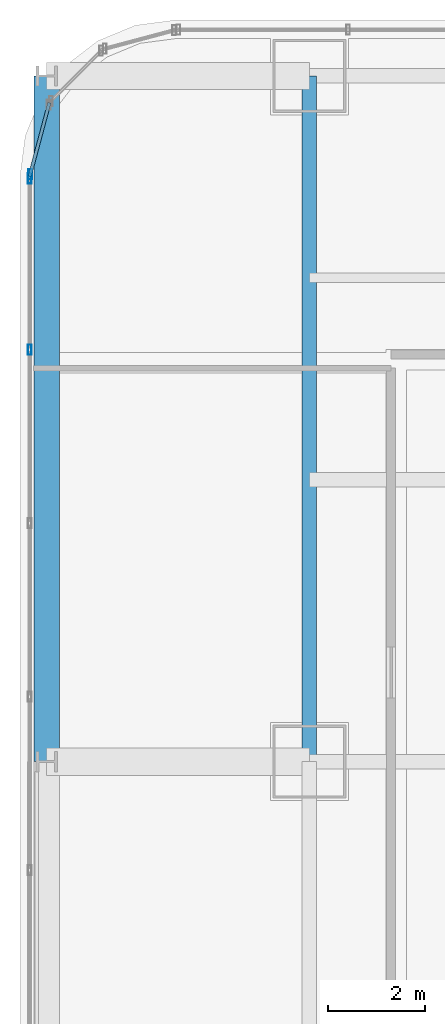
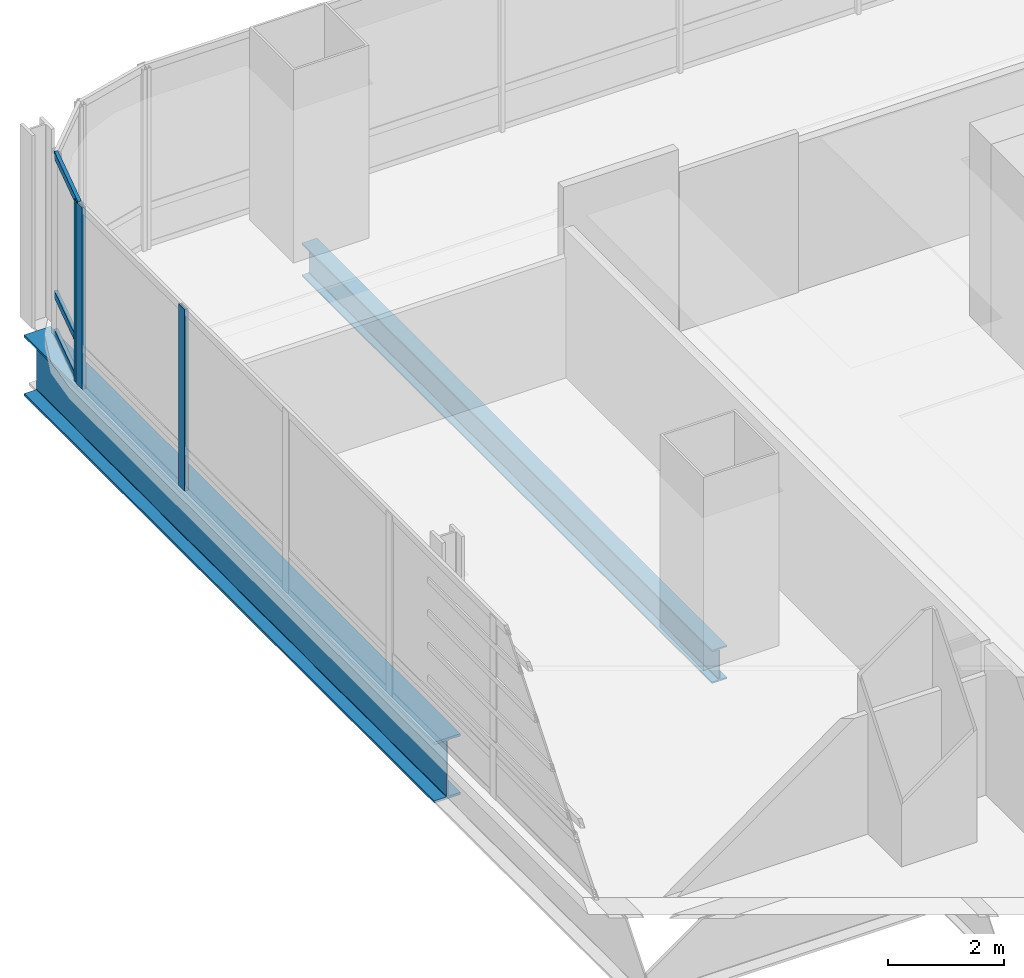
# One storey, part 18 of 36: 6 members, 2 beams, 2 elements without a shape of their own.
"""IFC4 building model written with IfcOpenShell, lengths in metres."""

from ifc_helpers import new_model, si_unit, direction, frame, origin, origin_2d, place, context, subcontext, project, spatial, hollow_rectangle, i_section, extrude, material, material_profile, profile_set, type_object, element, aggregate, save


model = new_model("IFC4")

# Units and contexts
model_context = context("Model", 3, precision=1e-05, world=origin(), true_north=direction((0.0, 1.0)))
body_context = subcontext(model_context, "Body", "Model", "MODEL_VIEW")
ifc_project = project(units=[si_unit("LENGTHUNIT", "METRE"), si_unit("AREAUNIT", "SQUARE_METRE"), si_unit("VOLUMEUNIT", "CUBIC_METRE"), si_unit("PLANEANGLEUNIT", "RADIAN"), si_unit("MASSUNIT", "GRAM", prefix="KILO")], contexts=[model_context])

# Site, building, storey
site_placement = place(None, origin())
site = spatial("IfcSite", under=ifc_project, at=site_placement, CompositionType="ELEMENT")
building_placement = place(site_placement, origin())
building = spatial("IfcBuilding", under=site, at=building_placement, Name="Punatoya Terracotta Tower", CompositionType="ELEMENT")
storey_placement = place(building_placement, frame((0.0, 0.0, 40.35009765625)))
storey = spatial("IfcBuildingStorey", under=building, at=storey_placement, Name="L08", CompositionType="ELEMENT", Elevation=40.35009765625)

# Beams
ifc_material_1 = material(Name="Steel S355", Category="steel")
ifc_material_profile_1 = material_profile(ifc_material_1, i_section(OverallWidth=0.300048828125, OverallDepth=0.699951171875, WebThickness=0.01708984375, FlangeThickness=0.031982421875, FilletRadius=0.01806640625, at=origin_2d()))
ifc_profile_set_1 = profile_set([ifc_material_profile_1], Name="Steel S355")
beam_type_1 = type_object("IfcBeamType", Name="BM-PRI-700", PredefinedType="BEAM", material=ifc_profile_set_1)
beam_1_placement = place(storey_placement, frame((-19.10009765625, 3.39990234375, -0.590087890625), z_axis=(0.0, 1.0, 0.0), x_axis=(-1.0, 0.0, 0.0)))
element("IfcBeam", 1, at=beam_1_placement, inside=storey, type_object=beam_type_1, Name="BM-L08-RG-W3", PredefinedType="BEAM", context=body_context, shape_type="SweptSolid", body=[
    extrude(i_section(OverallWidth=0.300048828125, OverallDepth=0.699951171875, WebThickness=0.01708984375, FlangeThickness=0.031982421875, FilletRadius=0.01806640625, at=origin_2d()), origin(), (0.0, 0.0, 1.0), 14.10009765625),
])
ifc_material_2 = material(Name="Steel S460", Category="steel")
ifc_material_profile_2 = material_profile(ifc_material_2, i_section(OverallWidth=0.52001953125, OverallDepth=1.280029296875, WebThickness=0.031982421875, FlangeThickness=0.050048828125, FilletRadius=0.01806640625, at=origin_2d()))
ifc_profile_set_2 = profile_set([ifc_material_profile_2], Name="Steel S460")
beam_type_2 = type_object("IfcBeamType", Name="BM-TG-NCK", PredefinedType="BEAM", material=ifc_profile_set_2)
beam_2_placement = place(storey_placement, frame((-24.5, 3.39990234375, -0.880126953125), z_axis=(0.0, 1.0, 0.0), x_axis=(-1.0, 0.0, 0.0)))
element("IfcBeam", 2, at=beam_2_placement, inside=storey, type_object=beam_type_2, Name="BM-L08-PER-W3", PredefinedType="BEAM", context=body_context, shape_type="SweptSolid", body=[
    extrude(i_section(OverallWidth=0.52001953125, OverallDepth=1.280029296875, WebThickness=0.031982421875, FlangeThickness=0.050048828125, FilletRadius=0.01806640625, at=origin_2d()), origin(), (0.0, 0.0, 1.0), 14.10009765625),
])

# Curtain wall, member
ifc_material_3 = material(Name="Aluminium 6063-T6 + Double Low-E Glass", Category="aluminium")
curtain_wall_type = type_object("IfcCurtainWallType", Name="CW-M1", PredefinedType="NOTDEFINED", material=ifc_material_3)
curtain_wall_1_placement = place(storey_placement, origin())
curtain_wall_1 = element("IfcCurtainWall", 3, at=curtain_wall_1_placement, inside=storey, type_object=curtain_wall_type, Name="L08 Curtain Wall CW-L08-CRN12", PredefinedType="NOTDEFINED")
ifc_material_4 = material(Name="Aluminium 6063-T6", Category="aluminium")
ifc_material_profile_3 = material_profile(ifc_material_4, hollow_rectangle(XDim=0.074951171875, YDim=0.2099609375, WallThickness=0.00439453125, at=origin_2d()))
ifc_profile_set_3 = profile_set([ifc_material_profile_3], Name="Aluminium 6063-T6")
member_type_1 = type_object("IfcMemberType", Name="CW-MUL-M1", PredefinedType="MULLION", material=ifc_profile_set_3)
member_1_placement = place(storey_placement, frame((-24.83837890625, 15.48046875, 0.0), z_axis=(0.0, 0.0, 1.0), x_axis=(1.0, 0.0, 0.0)))
member_1 = element("IfcMember", 4, at=member_1_placement, type_object=member_type_1, Name="CW-L08-CRN12 Mullion 01", PredefinedType="MULLION", context=body_context, shape_type="SweptSolid", body=[
    extrude(hollow_rectangle(XDim=0.074951171875, YDim=0.2099609375, WallThickness=0.00439453125, at=origin_2d()), origin(), (0.0, 0.0, 1.0), 3.809814453125),
])

# Curtain wall, members
curtain_wall_2_placement = place(storey_placement, origin())
curtain_wall_2 = element("IfcCurtainWall", 5, at=curtain_wall_2_placement, inside=storey, type_object=curtain_wall_type, Name="L08 Curtain Wall CW-L08-W13-1", PredefinedType="NOTDEFINED")
member_2_placement = place(storey_placement, frame((-24.85009765625, 15.391845703125, 0.0), z_axis=(0.0, 0.0, 1.0), x_axis=(1.0, 0.0, 0.0)))
member_2 = element("IfcMember", 6, at=member_2_placement, type_object=member_type_1, Name="CW-L08-W13-1 Mullion 00", PredefinedType="MULLION", context=body_context, shape_type="SweptSolid", body=[
    extrude(hollow_rectangle(XDim=0.074951171875, YDim=0.2099609375, WallThickness=0.00439453125, at=origin_2d()), origin(), (0.0, 0.0, 1.0), 3.809814453125),
])
member_3_placement = place(storey_placement, frame((-24.85009765625, 11.869384765625, 0.0), z_axis=(0.0, 0.0, 1.0), x_axis=(1.0, 0.0, 0.0)))
member_3 = element("IfcMember", 7, at=member_3_placement, type_object=member_type_1, Name="CW-L08-W13-1 Mullion 01", PredefinedType="MULLION", context=body_context, shape_type="SweptSolid", body=[
    extrude(hollow_rectangle(XDim=0.074951171875, YDim=0.2099609375, WallThickness=0.00439453125, at=origin_2d()), origin(), (0.0, 0.0, 1.0), 3.809814453125),
])
aggregate(curtain_wall_2, [member_2, member_3])

# Member
ifc_material_profile_4 = material_profile(ifc_material_4, hollow_rectangle(XDim=0.068115234375, YDim=0.14990234375, WallThickness=0.00390625, at=origin_2d()))
ifc_profile_set_4 = profile_set([ifc_material_profile_4], Name="Aluminium 6063-T6")
member_type_2 = type_object("IfcMemberType", Name="CW-TRN-TYP", PredefinedType="USERDEFINED", material=ifc_profile_set_4)
member_4_placement = place(storey_placement, frame((-24.446533203125, 16.94921875, 0.039794921875), z_axis=(-0.257847112249, -0.966185730957, 0.0), x_axis=(0.966185730957, -0.257847112249, 0.0)))
member_4 = element("IfcMember", 8, at=member_4_placement, type_object=member_type_2, Name="CW-L08-CRN12 Transom 1", ObjectType="TRANSOM", PredefinedType="USERDEFINED", context=body_context, shape_type="SweptSolid", body=[
    extrude(hollow_rectangle(XDim=0.068115234375, YDim=0.14990234375, WallThickness=0.00390625, at=origin_2d()), origin(), (0.0, 0.0, 1.0), 1.565185546875),
])

member_5_placement = place(storey_placement, frame((-24.446533203125, 16.94921875, 0.849853515625), z_axis=(-0.257847112249, -0.966185730957, 0.0), x_axis=(0.966185730957, -0.257847112249, 0.0)))
member_5 = element("IfcMember", 9, at=member_5_placement, type_object=member_type_2, Name="CW-L08-CRN12 Transom 2", ObjectType="TRANSOM", PredefinedType="USERDEFINED", context=body_context, shape_type="SweptSolid", body=[
    extrude(hollow_rectangle(XDim=0.068115234375, YDim=0.14990234375, WallThickness=0.00390625, at=origin_2d()), origin(), (0.0, 0.0, 1.0), 1.565185546875),
])

member_6_placement = place(storey_placement, frame((-24.446533203125, 16.94921875, 3.77001953125), z_axis=(-0.257847112249, -0.966185730957, 0.0), x_axis=(0.966185730957, -0.257847112249, 0.0)))
member_6 = element("IfcMember", 10, at=member_6_placement, type_object=member_type_2, Name="CW-L08-CRN12 Transom 3", ObjectType="TRANSOM", PredefinedType="USERDEFINED", context=body_context, shape_type="SweptSolid", body=[
    extrude(hollow_rectangle(XDim=0.068115234375, YDim=0.14990234375, WallThickness=0.00390625, at=origin_2d()), origin(), (0.0, 0.0, 1.0), 1.565185546875),
])

aggregate(curtain_wall_1, [member_1, member_4, member_5, member_6])

save(model, "model.ifc")
